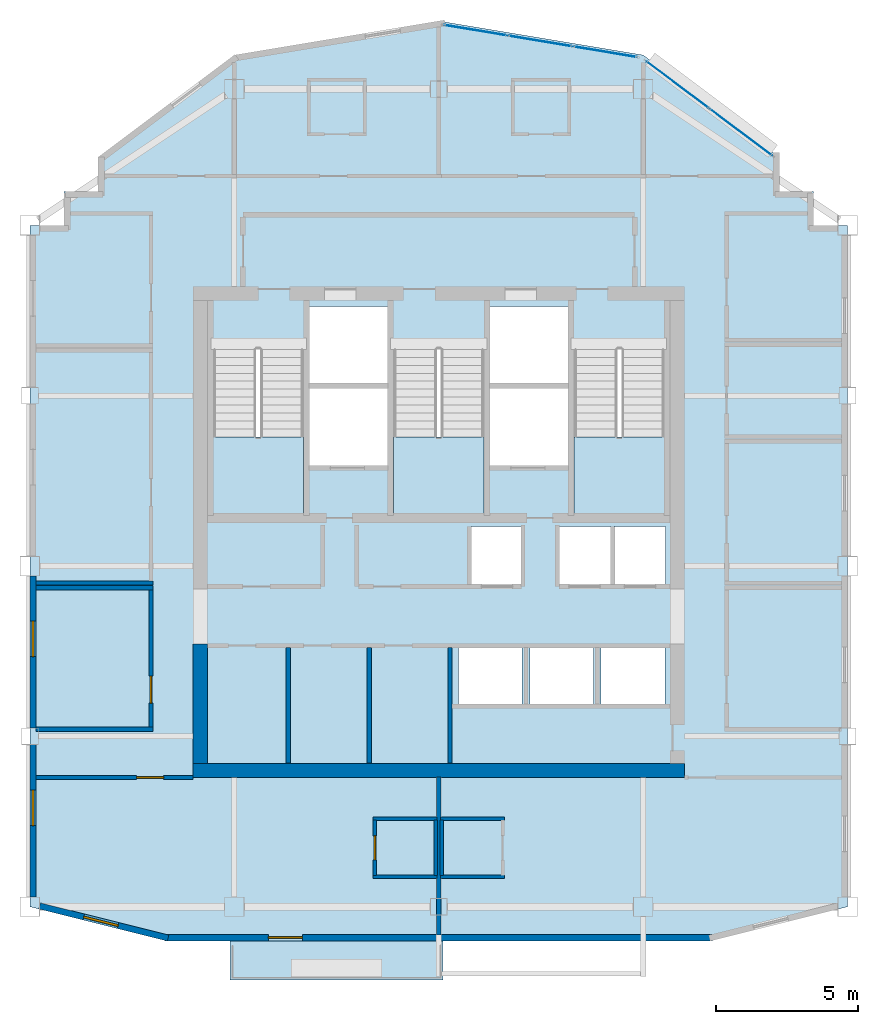
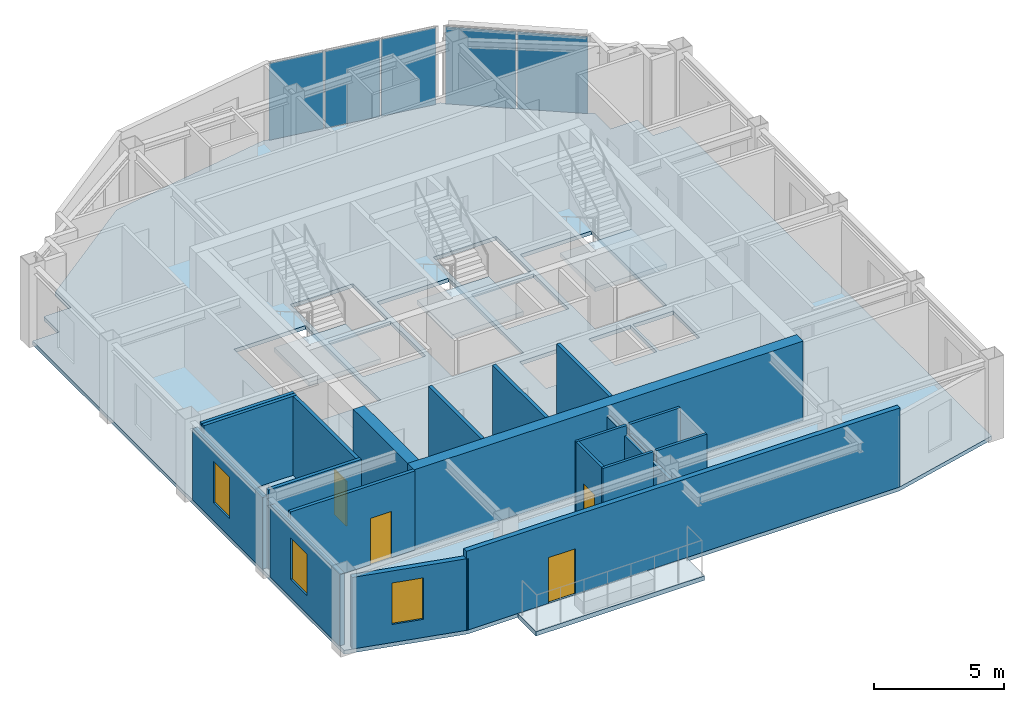
# One storey, part 4 of 9: 22 walls, 5 plates, 5 slabs, 4 doors, 3 windows, 7 openings, 5 elements without a shape of their own.
"""IFC4 building model written with IfcOpenShell, lengths in metres."""

from ifc_helpers import new_model, si_unit, direction, frame, frame_2d, origin, origin_2d, place, context, subcontext, project, spatial, polyline, rectangle, outline, extrude, material, layer, layer_set, type_object, element, fill, aggregate, save


model = new_model("IFC4")

# Units and contexts
model_context = context("Model", 3, precision=1e-05, world=origin(), true_north=direction((0.0, 1.0)))
body_context = subcontext(model_context, "Body", "Model", "MODEL_VIEW")
ifc_project = project(units=[si_unit("LENGTHUNIT", "METRE"), si_unit("AREAUNIT", "SQUARE_METRE"), si_unit("VOLUMEUNIT", "CUBIC_METRE"), si_unit("PLANEANGLEUNIT", "RADIAN"), si_unit("MASSUNIT", "GRAM", prefix="KILO")], contexts=[model_context])

# Site, building, storey
site_placement = place(None, origin())
site = spatial("IfcSite", under=ifc_project, at=site_placement, CompositionType="ELEMENT")
building_placement = place(site_placement, origin())
building = spatial("IfcBuilding", under=site, at=building_placement, Name="Haolan Belvedere Tower", CompositionType="ELEMENT")
storey_placement = place(building_placement, frame((0.0, 0.0, 290.0)))
storey = spatial("IfcBuildingStorey", under=building, at=storey_placement, Name="L73", CompositionType="ELEMENT", Elevation=290.0)

# Curtain wall, plates
ifc_material_1 = material(Name="Anodised champagne-silver aluminium 6063-T6 and Low-E glass", Category="aluminium")
ifc_layer_1 = layer(ifc_material_1, 0.14501953125, Name="Anodised champagne-silver aluminium 6063-T6 and Low-E glass")
ifc_layer_set_1 = layer_set([ifc_layer_1], Name="Anodised champagne-silver aluminium 6063-T6 and Low-E glass")
curtain_wall_type = type_object("IfcCurtainWallType", Name="CW-SYS-05", PredefinedType="NOTDEFINED", material=ifc_layer_set_1)
curtain_wall_1_placement = place(storey_placement, origin())
curtain_wall_1 = element("IfcCurtainWall", 1, at=curtain_wall_1_placement, inside=storey, type_object=curtain_wall_type, Name="L73 CW-SYS-05 ribbon curtain wall 8.1", PredefinedType="NOTDEFINED")
ifc_material_2 = material(Name="Double silver Low-E laminated insulating glass", Category="glass")
ifc_layer_2 = layer(ifc_material_2, 0.02197265625, Name="Double silver Low-E laminated insulating glass")
ifc_layer_set_2 = layer_set([ifc_layer_2], Name="Double silver Low-E laminated insulating glass")
plate_type = type_object("IfcPlateType", Name="CW-SYS-05-PNL", PredefinedType="CURTAIN_PANEL", material=ifc_layer_set_2)
plate_1_placement = place(storey_placement, frame((49.03955078125, 48.8828125, 0.050048828125), z_axis=(0.0, 0.0, 1.0), x_axis=(-0.799997871638, 0.600002837806, 0.0)))
plate_1 = element("IfcPlate", 2, at=plate_1_placement, type_object=plate_type, Name="CW-05 panel 1.1", PredefinedType="CURTAIN_PANEL", context=body_context, shape_type="SweptSolid", body=[
    extrude(rectangle(XDim=2.738037109375, YDim=0.02197265625, at=origin_2d()), origin(), (0.0, 0.0, 1.0), 3.6201171875),
])
plate_2_placement = place(storey_placement, frame((46.805908203125, 50.55810546875, 0.050048828125), z_axis=(0.0, 0.0, 1.0), x_axis=(-0.799997871638, 0.600002837806, 0.0)))
plate_2 = element("IfcPlate", 3, at=plate_2_placement, type_object=plate_type, Name="CW-05 panel 2.1", PredefinedType="CURTAIN_PANEL", context=body_context, shape_type="SweptSolid", body=[
    extrude(rectangle(XDim=2.738037109375, YDim=0.02197265625, at=origin_2d()), origin(), (0.0, 0.0, 1.0), 3.6201171875),
])
aggregate(curtain_wall_1, [plate_1, plate_2])

curtain_wall_2_placement = place(storey_placement, origin())
curtain_wall_2 = element("IfcCurtainWall", 4, at=curtain_wall_2_placement, inside=storey, type_object=curtain_wall_type, Name="L73 CW-SYS-05 ribbon curtain wall 9.1", PredefinedType="NOTDEFINED")
plate_3_placement = place(storey_placement, frame((44.257568359375, 51.712158203125, 0.050048828125), z_axis=(0.0, 0.0, 1.0), x_axis=(-0.98639276122, 0.164405962825, 0.0)))
plate_3 = element("IfcPlate", 5, at=plate_3_placement, type_object=plate_type, Name="CW-05 panel 1.1", PredefinedType="CURTAIN_PANEL", context=body_context, shape_type="SweptSolid", body=[
    extrude(rectangle(XDim=2.24365234375, YDim=0.02197265625, at=origin_2d()), origin(), (0.0, 0.0, 1.0), 3.6201171875),
])
plate_4_placement = place(storey_placement, frame((41.977783203125, 52.09228515625, 0.050048828125), z_axis=(0.0, 0.0, 1.0), x_axis=(-0.98639276122, 0.164405962825, 0.0)))
plate_4 = element("IfcPlate", 6, at=plate_4_placement, type_object=plate_type, Name="CW-05 panel 2.1", PredefinedType="CURTAIN_PANEL", context=body_context, shape_type="SweptSolid", body=[
    extrude(rectangle(XDim=2.270751953125, YDim=0.02197265625, at=origin_2d()), origin(), (0.0, 0.0, 1.0), 3.6201171875),
])
plate_5_placement = place(storey_placement, frame((39.697998046875, 52.47216796875, 0.050048828125), z_axis=(0.0, 0.0, 1.0), x_axis=(-0.98639276122, 0.164405962825, 0.0)))
plate_5 = element("IfcPlate", 7, at=plate_5_placement, type_object=plate_type, Name="CW-05 panel 3.1", PredefinedType="CURTAIN_PANEL", context=body_context, shape_type="SweptSolid", body=[
    extrude(rectangle(XDim=2.24365234375, YDim=0.02197265625, at=origin_2d()), origin(), (0.0, 0.0, 1.0), 3.6201171875),
])
aggregate(curtain_wall_2, [plate_3, plate_4, plate_5])

# Slabs
ifc_material_3 = material(Name="Concrete C40/50", Category="concrete")
ifc_layer_3 = layer(ifc_material_3, 0.2099609375, Name="Concrete C40/50")
ifc_layer_set_3 = layer_set([ifc_layer_3], Name="Concrete C40/50")
slab_type_1 = type_object("IfcSlabType", Name="SL-BAL-210", PredefinedType="FLOOR", material=ifc_layer_set_3)
slab_1_placement = place(storey_placement, frame((0.0, 0.0, -0.22998046875)))
element("IfcSlab", 8, at=slab_1_placement, inside=storey, type_object=slab_type_1, Name="L73 structural tree-planter balcony slab BAL-L73-S1", PredefinedType="FLOOR", context=body_context, shape_type="SweptSolid", body=[
    extrude(outline(polyline([(31.050048828125, 19.02001953125), (38.550048828125, 19.02001953125), (38.550048828125, 20.39990234375), (31.050048828125, 20.39990234375), (31.050048828125, 19.02001953125)])), origin(), (0.0, 0.0, 1.0), 0.2099609375),
])
ifc_layer_4 = layer(ifc_material_3, 0.179931640625, Name="Concrete C40/50")
ifc_layer_set_4 = layer_set([ifc_layer_4], Name="Concrete C40/50")
slab_type_2 = type_object("IfcSlabType", Name="SL-FLR-180", PredefinedType="FLOOR", material=ifc_layer_set_4)
slab_2_placement = place(storey_placement, frame((0.0, 0.0, -0.179931640625)))
element("IfcSlab", 9, at=slab_2_placement, inside=storey, type_object=slab_type_2, Name="L73 structural floor slab", PredefinedType="FLOOR", context=body_context, shape_type="SweptSolid", body=[
    extrude(outline(polyline([(24.0, 21.60009765625), (28.800048828125, 20.39990234375), (48.0, 20.39990234375), (52.800048828125, 21.60009765625), (52.800048828125, 45.60009765625), (52.800048828125, 45.60009765625), (51.60009765625, 45.60009765625), (51.60009765625, 46.800048828125), (50.39990234375, 46.800048828125), (50.39990234375, 48.0), (45.60009765625, 51.60009765625), (38.39990234375, 52.800048828125), (31.199951171875, 51.60009765625), (26.39990234375, 48.0), (26.39990234375, 46.800048828125), (25.199951171875, 46.800048828125), (25.199951171875, 45.60009765625), (24.0, 45.60009765625), (24.0, 45.60009765625), (24.0, 21.60009765625)]), holes=[polyline([(30.449951171875, 41.22998046875), (30.449951171875, 35.449951171875), (33.6298828125, 35.449951171875), (33.6298828125, 41.22998046875), (30.449951171875, 41.22998046875)]), polyline([(36.81005859375, 41.22998046875), (36.81005859375, 35.449951171875), (39.989990234375, 35.449951171875), (39.989990234375, 41.22998046875), (36.81005859375, 41.22998046875)]), polyline([(43.169921875, 41.22998046875), (43.169921875, 35.449951171875), (46.35009765625, 35.449951171875), (46.35009765625, 41.22998046875), (43.169921875, 41.22998046875)]), polyline([(33.830078125, 40.050048828125), (36.610107421875, 40.050048828125), (36.610107421875, 42.75), (33.830078125, 42.75), (33.830078125, 40.050048828125)]), polyline([(33.830078125, 37.14990234375), (36.610107421875, 37.14990234375), (36.610107421875, 39.85009765625), (33.830078125, 39.85009765625), (33.830078125, 37.14990234375)]), polyline([(40.18994140625, 40.050048828125), (42.969970703125, 40.050048828125), (42.969970703125, 42.75), (40.18994140625, 42.75), (40.18994140625, 40.050048828125)]), polyline([(40.18994140625, 37.14990234375), (42.969970703125, 37.14990234375), (42.969970703125, 39.85009765625), (40.18994140625, 39.85009765625), (40.18994140625, 37.14990234375)]), polyline([(39.5400390625, 32.949951171875), (41.389892578125, 32.949951171875), (41.389892578125, 35.0), (39.5400390625, 35.0), (39.5400390625, 32.949951171875)]), polyline([(42.6201171875, 32.949951171875), (44.469970703125, 32.949951171875), (44.469970703125, 35.0), (42.6201171875, 35.0), (42.6201171875, 32.949951171875)]), polyline([(44.580078125, 32.949951171875), (46.3798828125, 32.949951171875), (46.3798828125, 35.0), (44.580078125, 35.0), (44.580078125, 32.949951171875)]), polyline([(39.10009765625, 28.75), (41.340087890625, 28.75), (41.340087890625, 30.75), (39.10009765625, 30.75), (39.10009765625, 28.75)]), polyline([(41.610107421875, 28.75), (43.85009765625, 28.75), (43.85009765625, 30.75), (41.610107421875, 30.75), (41.610107421875, 28.75)]), polyline([(44.1201171875, 28.75), (46.360107421875, 28.75), (46.360107421875, 30.75), (44.1201171875, 30.75), (44.1201171875, 28.75)])]), origin(), (0.0, 0.0, 1.0), 0.179931640625),
])

# Stair, slab
stair_type = type_object("IfcStairType", Name="STR-DL-24R-162", PredefinedType="HALF_TURN_STAIR", material=ifc_material_3)
stair_1_placement = place(storey_placement, origin())
stair_1 = element("IfcStair", 10, at=stair_1_placement, inside=storey, type_object=stair_type, Name="L73 Smokeproof Core Exit Stair ST1", PredefinedType="HALF_TURN_STAIR")
ifc_layer_5 = layer(ifc_material_3, 0.199951171875, Name="Concrete C40/50")
ifc_layer_set_5 = layer_set([ifc_layer_5], Name="Concrete C40/50")
slab_type_3 = type_object("IfcSlabType", Name="SL-LAND-200", PredefinedType="LANDING", material=ifc_layer_set_5)
slab_3_placement = place(storey_placement, frame((0.0, 0.0, 1.75)))
slab_3 = element("IfcSlab", 11, at=slab_3_placement, type_object=slab_type_3, Name="ST1 landing 1", PredefinedType="LANDING", context=body_context, shape_type="SweptSolid", body=[
    extrude(outline(polyline([(30.449951171875, 38.14990234375), (30.449951171875, 35.449951171875), (33.6298828125, 35.449951171875), (33.6298828125, 38.14990234375), (30.449951171875, 38.14990234375)])), origin(), (0.0, 0.0, 1.0), 0.199951171875),
])
aggregate(stair_1, [slab_3])

stair_2_placement = place(storey_placement, origin())
stair_2 = element("IfcStair", 12, at=stair_2_placement, inside=storey, type_object=stair_type, Name="L73 Smokeproof Core Exit Stair ST3", PredefinedType="HALF_TURN_STAIR")
slab_4_placement = place(storey_placement, frame((0.0, 0.0, 1.75)))
slab_4 = element("IfcSlab", 13, at=slab_4_placement, type_object=slab_type_3, Name="ST3 landing 1", PredefinedType="LANDING", context=body_context, shape_type="SweptSolid", body=[
    extrude(outline(polyline([(36.81005859375, 38.14990234375), (36.81005859375, 35.449951171875), (39.989990234375, 35.449951171875), (39.989990234375, 38.14990234375), (36.81005859375, 38.14990234375)])), origin(), (0.0, 0.0, 1.0), 0.199951171875),
])
aggregate(stair_2, [slab_4])

stair_3_placement = place(storey_placement, origin())
stair_3 = element("IfcStair", 14, at=stair_3_placement, inside=storey, type_object=stair_type, Name="L73 Smokeproof Core Exit Stair ST2", PredefinedType="HALF_TURN_STAIR")
slab_5_placement = place(storey_placement, frame((0.0, 0.0, 1.75)))
slab_5 = element("IfcSlab", 15, at=slab_5_placement, type_object=slab_type_3, Name="ST2 landing 1", PredefinedType="LANDING", context=body_context, shape_type="SweptSolid", body=[
    extrude(outline(polyline([(43.169921875, 38.14990234375), (43.169921875, 35.449951171875), (46.35009765625, 35.449951171875), (46.35009765625, 38.14990234375), (43.169921875, 38.14990234375)])), origin(), (0.0, 0.0, 1.0), 0.199951171875),
])
aggregate(stair_3, [slab_5])

# Walls
ifc_material_4 = material(Name="Concrete C50/60", Category="concrete")
ifc_layer_6 = layer(ifc_material_4, 0.5, Name="Concrete C50/60")
ifc_layer_set_6 = layer_set([ifc_layer_6], Name="Concrete C50/60")
wall_type_1 = type_object("IfcWallType", Name="WL-CORE-500", PredefinedType="SHEAR", material=ifc_layer_set_6)
wall_1_placement = place(storey_placement, frame((29.75, 26.39990234375, 0.0), z_axis=(0.0, 0.0, 1.0), x_axis=(1.0, 0.0, 0.0)))
element("IfcWall", 16, at=wall_1_placement, inside=storey, type_object=wall_type_1, Name="L73 central core south shear wall", PredefinedType="SHEAR", context=body_context, shape_type="SweptSolid", body=[
    extrude(rectangle(XDim=17.300048828125, YDim=0.5, at=frame_2d((8.64990234375, 0.0))), origin(), (0.0, 0.0, 1.0), 3.719970703125),
])
wall_2_placement = place(storey_placement, frame((30.0, 26.64990234375, 0.0), z_axis=(0.0, 0.0, 1.0), x_axis=(0.0, 1.0, 0.0)))
element("IfcWall", 17, at=wall_2_placement, inside=storey, type_object=wall_type_1, Name="L73 central core shear wall WS", PredefinedType="SHEAR", context=body_context, shape_type="SweptSolid", body=[
    extrude(rectangle(XDim=4.2001953125, YDim=0.5, at=frame_2d((2.10009765625, 0.0))), origin(), (0.0, 0.0, 1.0), 3.719970703125),
])

# Wall, opening, door
ifc_material_5 = material(Name="Precast concrete C40/50", Category="concrete")
ifc_layer_7 = layer(ifc_material_5, 0.219970703125, Name="Precast concrete C40/50")
ifc_layer_set_7 = layer_set([ifc_layer_7], Name="Precast concrete C40/50")
wall_type_2 = type_object("IfcWallType", Name="WL-EXT-220", PredefinedType="SOLIDWALL", material=ifc_layer_set_7)
wall_3_placement = place(storey_placement, frame((28.758544921875, 20.510009765625, 0.0), z_axis=(0.0, 0.0, 1.0), x_axis=(1.0, 0.0, 0.0)))
wall_3 = element("IfcWall", 18, at=wall_3_placement, inside=storey, type_object=wall_type_2, Name="L73 pale-metal exterior spandrel wall 1.1", PredefinedType="SOLIDWALL", context=body_context, shape_type="SweptSolid", body=[
    extrude(rectangle(XDim=19.282958984375, YDim=0.219970703125, at=frame_2d((9.6416015625, 0.0))), origin(), (0.0, 0.0, 1.0), 3.719970703125),
])
opening_1_placement = place(wall_3_placement, frame((4.841552734375, 0.0, 0.0), z_axis=(0.0, 0.0, 1.0), x_axis=(-1.0, 0.0, 0.0)))
opening_1 = element("IfcOpeningElement", 19, at=opening_1_placement, cuts=wall_3, Name="Opening BD-01", PredefinedType="OPENING", context=body_context, shape_type="SweptSolid", body=[
    extrude(rectangle(XDim=1.199951171875, YDim=2.14990234375, at=frame_2d((0.60009765625, 1.074951171875))), frame((0.0, 0.119873046875, 0.0), z_axis=(0.0, -1.0, 0.0), x_axis=(1.0, 0.0, 0.0)), (0.0, 0.0, 1.0), 0.239990234375),
])
ifc_material_6 = material(Name="Thermally broken pale-metal aluminium and Low-E glass", Category="aluminium")
door_type_1 = type_object("IfcDoorType", Name="DR-BAL-1200", OperationType="NOTDEFINED", PredefinedType="DOOR", material=ifc_material_6)
door_1_placement = place(opening_1_placement, origin())
door_1 = element("IfcDoor", 20, at=door_1_placement, inside=storey, type_object=door_type_1, Name="L73 tree-balcony access door 1", OperationType="SINGLE_SWING_LEFT", OverallHeight=2.14990234375, OverallWidth=1.199951171875, PredefinedType="DOOR", context=body_context, shape_type="SweptSolid", body=[
    extrude(rectangle(XDim=1.199951171875, YDim=2.14990234375, at=frame_2d((0.60009765625, 1.074951171875))), frame((0.0, 0.02490234375, 0.0), z_axis=(0.0, -1.0, 0.0), x_axis=(1.0, 0.0, 0.0)), (0.0, 0.0, 1.0), 0.050048828125),
])
fill(opening_1, door_1)

# Wall, opening, window
wall_4_placement = place(storey_placement, frame((24.110107421875, 33.258056640625, 0.0), z_axis=(0.0, 0.0, 1.0), x_axis=(0.0, -1.0, 0.0)))
wall_4 = element("IfcWall", 21, at=wall_4_placement, inside=storey, type_object=wall_type_2, Name="L73 pale-metal exterior spandrel wall 16.3", PredefinedType="SOLIDWALL", context=body_context, shape_type="SweptSolid", body=[
    extrude(rectangle(XDim=5.365966796875, YDim=0.219970703125, at=frame_2d((2.68310546875, 0.0))), origin(), (0.0, 0.0, 1.0), 3.364990234375),
])
opening_2_placement = place(wall_4_placement, frame((1.60009765625, 0.0, 0.85009765625)))
opening_2 = element("IfcOpeningElement", 22, at=opening_2_placement, cuts=wall_4, Name="Opening W-04", PredefinedType="OPENING", context=body_context, shape_type="SweptSolid", body=[
    extrude(rectangle(XDim=1.25, YDim=1.949951171875, at=frame_2d((0.625, 0.97509765625))), frame((0.0, 0.119873046875, 0.0), z_axis=(0.0, -1.0, 0.0), x_axis=(1.0, 0.0, 0.0)), (0.0, 0.0, 1.0), 0.239990234375),
])
ifc_material_7 = material(Name="Anodised aluminium 6063-T6 and Low-E glass", Category="aluminium")
window_type = type_object("IfcWindowType", Name="WN-DECO-Z4", PartitioningType="SINGLE_PANEL", PredefinedType="WINDOW", material=ifc_material_7)
window_1_placement = place(opening_2_placement, origin())
window_1 = element("IfcWindow", 23, at=window_1_placement, inside=storey, type_object=window_type, Name="L73 Art Deco chevron window 1", OverallHeight=1.949951171875, OverallWidth=1.25, PartitioningType="SINGLE_PANEL", PredefinedType="WINDOW", context=body_context, shape_type="SweptSolid", body=[
    extrude(rectangle(XDim=1.25, YDim=1.949951171875, at=frame_2d((0.625, 0.97509765625))), frame((0.0, 0.030029296875, 0.0), z_axis=(0.0, -1.0, 0.0), x_axis=(1.0, 0.0, 0.0)), (0.0, 0.0, 1.0), 0.06005859375),
])
fill(opening_2, window_1)

wall_5_placement = place(storey_placement, frame((24.110107421875, 27.30810546875, 0.0), z_axis=(0.0, 0.0, 1.0), x_axis=(0.0, -1.0, 0.0)))
wall_5 = element("IfcWall", 24, at=wall_5_placement, inside=storey, type_object=wall_type_2, Name="L73 pale-metal exterior spandrel wall 16.4", PredefinedType="SOLIDWALL", context=body_context, shape_type="SweptSolid", body=[
    extrude(rectangle(XDim=5.3662109375, YDim=0.219970703125, at=frame_2d((2.68310546875, 0.0))), origin(), (0.0, 0.0, 1.0), 3.364990234375),
])
opening_3_placement = place(wall_5_placement, frame((1.60009765625, 0.0, 0.85009765625)))
opening_3 = element("IfcOpeningElement", 25, at=opening_3_placement, cuts=wall_5, Name="Opening W-04", PredefinedType="OPENING", context=body_context, shape_type="SweptSolid", body=[
    extrude(rectangle(XDim=1.25, YDim=1.949951171875, at=frame_2d((0.625, 0.97509765625))), frame((0.0, 0.119873046875, 0.0), z_axis=(0.0, -1.0, 0.0), x_axis=(1.0, 0.0, 0.0)), (0.0, 0.0, 1.0), 0.239990234375),
])
window_2_placement = place(opening_3_placement, origin())
window_2 = element("IfcWindow", 26, at=window_2_placement, inside=storey, type_object=window_type, Name="L73 Art Deco chevron window 1", OverallHeight=1.949951171875, OverallWidth=1.25, PartitioningType="SINGLE_PANEL", PredefinedType="WINDOW", context=body_context, shape_type="SweptSolid", body=[
    extrude(rectangle(XDim=1.25, YDim=1.949951171875, at=frame_2d((0.625, 0.97509765625))), frame((0.0, 0.030029296875, 0.0), z_axis=(0.0, -1.0, 0.0), x_axis=(1.0, 0.0, 0.0)), (0.0, 0.0, 1.0), 0.06005859375),
])
fill(opening_3, window_2)

wall_6_placement = place(storey_placement, frame((24.342041015625, 21.6279296875, 0.0), z_axis=(0.0, 0.0, 1.0), x_axis=(0.970136341762, -0.242560257242, 0.0)))
wall_6 = element("IfcWall", 27, at=wall_6_placement, inside=storey, type_object=wall_type_2, Name="L73 pale-metal exterior spandrel wall 17.1", PredefinedType="SOLIDWALL", context=body_context, shape_type="SweptSolid", body=[
    extrude(rectangle(XDim=4.664306640625, YDim=0.219970703125, at=frame_2d((2.33203125, 0.0))), origin(), (0.0, 0.0, 1.0), 3.364990234375),
])
opening_4_placement = place(wall_6_placement, frame((1.60009765625, 0.0, 0.85009765625)))
opening_4 = element("IfcOpeningElement", 28, at=opening_4_placement, cuts=wall_6, Name="Opening W-04", PredefinedType="OPENING", context=body_context, shape_type="SweptSolid", body=[
    extrude(rectangle(XDim=1.25, YDim=1.949951171875, at=frame_2d((0.625, 0.97509765625))), frame((0.0, 0.119873046875, 0.0), z_axis=(0.0, -1.0, 0.0), x_axis=(1.0, 0.0, 0.0)), (0.0, 0.0, 1.0), 0.239990234375),
])
window_3_placement = place(opening_4_placement, origin())
window_3 = element("IfcWindow", 29, at=window_3_placement, inside=storey, type_object=window_type, Name="L73 Art Deco chevron window 1", OverallHeight=1.949951171875, OverallWidth=1.25, PartitioningType="SINGLE_PANEL", PredefinedType="WINDOW", context=body_context, shape_type="SweptSolid", body=[
    extrude(rectangle(XDim=1.25, YDim=1.949951171875, at=frame_2d((0.625, 0.97509765625))), frame((0.0, 0.030029296875, 0.0), z_axis=(0.0, -1.0, 0.0), x_axis=(1.0, 0.0, 0.0)), (0.0, 0.0, 1.0), 0.06005859375),
])
fill(opening_4, window_3)

# Walls
ifc_material_8 = material(Name="Double gypsum acoustic stud partition", Category="masonry")
ifc_layer_8 = layer(ifc_material_8, 0.14990234375, Name="Double gypsum acoustic stud partition")
ifc_layer_set_8 = layer_set([ifc_layer_8], Name="Double gypsum acoustic stud partition")
wall_type_3 = type_object("IfcWallType", Name="WL-PART-150", PredefinedType="PARTITIONING", material=ifc_layer_set_8)
for number, where, z_axis, x_axis, name in (
    (30, (33.10009765625, 26.659912109375, 0.0), (0.0, 0.0, 1.0), (0.0, 1.0, 0.0), "L73 interior partition IW-L73-DIV-REUSE-PM1"),
    (31, (35.949951171875, 26.659912109375, 0.0), (0.0, 0.0, 1.0), (0.0, 1.0, 0.0), "L73 interior partition IW-L73-DIV-REUSE-PM2"),
):
    element("IfcWall", number, at=place(storey_placement, frame(where, z_axis=z_axis, x_axis=x_axis)), inside=storey, type_object=wall_type_3, Name=name, PredefinedType="PARTITIONING", context=body_context, shape_type="SweptSolid", body=[
        extrude(rectangle(XDim=4.0751953125, YDim=0.14990234375, at=frame_2d((2.03759765625, 0.0))), origin(), (0.0, 0.0, 1.0), 3.719970703125),
    ])
for number, where, z_axis, x_axis, name in (
    (32, (24.2119140625, 33.0, 0.0), (0.0, 0.0, 1.0), (1.0, 0.0, 0.0), "L73 interior partition IW-L73-SAL-S"),
    (33, (24.2119140625, 32.840087890625, 0.0), (0.0, 0.0, 1.0), (1.0, 0.0, 0.0), "L73 interior partition IW-L73-PKTW-N"),
    (34, (24.2119140625, 27.85009765625, 0.0), (0.0, 0.0, 1.0), (1.0, 0.0, 0.0), "L73 interior partition IW-L73-PKTW-S"),
):
    element("IfcWall", number, at=place(storey_placement, frame(where, z_axis=z_axis, x_axis=x_axis)), inside=storey, type_object=wall_type_3, Name=name, PredefinedType="PARTITIONING", context=body_context, shape_type="SweptSolid", body=[
        extrude(rectangle(XDim=4.128173828125, YDim=0.14990234375, at=frame_2d((2.06396484375, 0.0))), origin(), (0.0, 0.0, 1.0), 3.719970703125),
    ])

# Wall, opening, door
wall_7_placement = place(storey_placement, frame((28.260009765625, 27.909912109375, 0.0), z_axis=(0.0, 0.0, 1.0), x_axis=(0.0, 1.0, 0.0)))
wall_7 = element("IfcWall", 35, at=wall_7_placement, inside=storey, type_object=wall_type_3, Name="L73 interior partition IW-L73-PKTW-E", PredefinedType="PARTITIONING", context=body_context, shape_type="SweptSolid", body=[
    extrude(rectangle(XDim=4.8701171875, YDim=0.14990234375, at=frame_2d((2.43505859375, 0.0))), origin(), (0.0, 0.0, 1.0), 3.719970703125),
])
opening_5_placement = place(wall_7_placement, frame((1.81005859375, 0.0, 0.0), z_axis=(0.0, 0.0, 1.0), x_axis=(-1.0, 0.0, 0.0)))
opening_5 = element("IfcOpeningElement", 36, at=opening_5_placement, cuts=wall_7, Name="Opening ID-03", PredefinedType="OPENING", context=body_context, shape_type="SweptSolid", body=[
    extrude(rectangle(XDim=0.949951171875, YDim=2.1201171875, at=frame_2d((0.47509765625, 1.06005859375))), frame((0.0, 0.0849609375, 0.0), z_axis=(0.0, -1.0, 0.0), x_axis=(1.0, 0.0, 0.0)), (0.0, 0.0, 1.0), 0.169921875),
])
ifc_material_9 = material(Name="Painted solid-core timber", Category="wood")
door_type_2 = type_object("IfcDoorType", Name="DR-INT-950", OperationType="NOTDEFINED", PredefinedType="DOOR", material=ifc_material_9)
door_2_placement = place(opening_5_placement, origin())
door_2 = element("IfcDoor", 37, at=door_2_placement, inside=storey, type_object=door_type_2, Name="L73 door ID-L73-PKTW", OperationType="SINGLE_SWING_LEFT", OverallHeight=2.1201171875, OverallWidth=0.949951171875, PredefinedType="DOOR", context=body_context, shape_type="SweptSolid", body=[
    extrude(rectangle(XDim=0.949951171875, YDim=2.1201171875, at=frame_2d((0.47509765625, 1.06005859375))), frame((0.0, 0.02490234375, 0.0), z_axis=(0.0, -1.0, 0.0), x_axis=(1.0, 0.0, 0.0)), (0.0, 0.0, 1.0), 0.050048828125),
])
fill(opening_5, door_2)

wall_8_placement = place(storey_placement, frame((24.2119140625, 26.14990234375, 0.0), z_axis=(0.0, 0.0, 1.0), x_axis=(1.0, 0.0, 0.0)))
wall_8 = element("IfcWall", 38, at=wall_8_placement, inside=storey, type_object=wall_type_3, Name="L73 interior partition IW-L73-KS1-N", PredefinedType="PARTITIONING", context=body_context, shape_type="SweptSolid", body=[
    extrude(rectangle(XDim=5.5361328125, YDim=0.14990234375, at=frame_2d((2.76806640625, 0.0))), origin(), (0.0, 0.0, 1.0), 3.719970703125),
])
opening_6_placement = place(wall_8_placement, frame((4.494873046875, 0.0, 0.0), z_axis=(0.0, 0.0, 1.0), x_axis=(-1.0, 0.0, 0.0)))
opening_6 = element("IfcOpeningElement", 39, at=opening_6_placement, cuts=wall_8, Name="Opening ID-01", PredefinedType="OPENING", context=body_context, shape_type="SweptSolid", body=[
    extrude(rectangle(XDim=0.949951171875, YDim=2.179931640625, at=frame_2d((0.47509765625, 1.08984375))), frame((0.0, 0.0849609375, 0.0), z_axis=(0.0, -1.0, 0.0), x_axis=(1.0, 0.0, 0.0)), (0.0, 0.0, 1.0), 0.169921875),
])
ifc_material_10 = material(Name="Acoustic walnut veneer fire-rated timber", Category="wood")
door_type_3 = type_object("IfcDoorType", Name="DR-SUITE-950", OperationType="NOTDEFINED", PredefinedType="DOOR", material=ifc_material_10)
door_3_placement = place(opening_6_placement, origin())
door_3 = element("IfcDoor", 40, at=door_3_placement, inside=storey, type_object=door_type_3, Name="L73 door ID-L73-KS1-ENT", OperationType="SINGLE_SWING_LEFT", OverallHeight=2.179931640625, OverallWidth=0.949951171875, PredefinedType="DOOR", context=body_context, shape_type="SweptSolid", body=[
    extrude(rectangle(XDim=0.949951171875, YDim=2.179931640625, at=frame_2d((0.47509765625, 1.08984375))), frame((0.0, 0.02490234375, 0.0), z_axis=(0.0, -1.0, 0.0), x_axis=(1.0, 0.0, 0.0)), (0.0, 0.0, 1.0), 0.050048828125),
])
fill(opening_6, door_3)

# Walls
wall_9_placement = place(storey_placement, frame((38.39990234375, 20.612060546875, 0.0), z_axis=(0.0, 0.0, 1.0), x_axis=(0.0, 1.0, 0.0)))
element("IfcWall", 41, at=wall_9_placement, inside=storey, type_object=wall_type_3, Name="L73 interior partition IW-L73-KS1-E", PredefinedType="PARTITIONING", context=body_context, shape_type="SweptSolid", body=[
    extrude(rectangle(XDim=5.552978515625, YDim=0.14990234375, at=frame_2d((2.7763671875, 0.0))), origin(), (0.0, 0.0, 1.0), 3.205078125),
])
ifc_material_11 = material(Name="Gypsum fire shaftwall assembly", Category="masonry")
ifc_layer_9 = layer(ifc_material_11, 0.1650390625, Name="Gypsum fire shaftwall assembly")
ifc_layer_set_9 = layer_set([ifc_layer_9], Name="Gypsum fire shaftwall assembly")
wall_type_4 = type_object("IfcWallType", Name="WL-SHAFT-160", PredefinedType="SOLIDWALL", material=ifc_layer_set_9)
wall_10_placement = place(storey_placement, frame((38.800048828125, 26.659912109375, 0.0), z_axis=(0.0, 0.0, 1.0), x_axis=(0.0, 1.0, 0.0)))
element("IfcWall", 42, at=wall_10_placement, inside=storey, type_object=wall_type_4, Name="L73 interior partition IW-L73-DIV-PM-OB", PredefinedType="SOLIDWALL", context=body_context, shape_type="SweptSolid", body=[
    extrude(rectangle(XDim=4.0751953125, YDim=0.14990234375, at=frame_2d((2.03759765625, 0.0))), origin(), (0.0, 0.0, 1.0), 3.719970703125),
])
ifc_material_12 = material(Name="Moisture-resistant gypsum tile partition", Category="masonry")
ifc_layer_10 = layer(ifc_material_12, 0.1201171875, Name="Moisture-resistant gypsum tile partition")
ifc_layer_set_10 = layer_set([ifc_layer_10], Name="Moisture-resistant gypsum tile partition")
wall_type_5 = type_object("IfcWallType", Name="WL-WET-120", PredefinedType="PARTITIONING", material=ifc_layer_set_10)
for number, where, z_axis, x_axis, name in (
    (43, (36.090087890625, 24.699951171875, 0.0), (0.0, 0.0, 1.0), (1.0, 0.0, 0.0), "L73 interior partition IW-L73-KS1-BN"),
    (44, (36.090087890625, 22.64990234375, 0.0), (0.0, 0.0, 1.0), (1.0, 0.0, 0.0), "L73 interior partition IW-L73-KS1-BS"),
):
    element("IfcWall", number, at=place(storey_placement, frame(where, z_axis=z_axis, x_axis=x_axis)), inside=storey, type_object=wall_type_5, Name=name, PredefinedType="PARTITIONING", context=body_context, shape_type="SweptSolid", body=[
        extrude(rectangle(XDim=2.25, YDim=0.1201171875, at=frame_2d((1.125, 0.0))), origin(), (0.0, 0.0, 1.0), 3.719970703125),
    ])

# Wall, opening, door
wall_11_placement = place(storey_placement, frame((36.14990234375, 22.695068359375, 0.0), z_axis=(0.0, 0.0, 1.0), x_axis=(0.0, 1.0, 0.0)))
wall_11 = element("IfcWall", 45, at=wall_11_placement, inside=storey, type_object=wall_type_5, Name="L73 interior partition IW-L73-KS1-BW", PredefinedType="PARTITIONING", context=body_context, shape_type="SweptSolid", body=[
    extrude(rectangle(XDim=1.9599609375, YDim=0.1201171875, at=frame_2d((0.97998046875, 0.0))), origin(), (0.0, 0.0, 1.0), 3.719970703125),
])
opening_7_placement = place(wall_11_placement, frame((1.405029296875, 0.0, 0.0), z_axis=(0.0, 0.0, 1.0), x_axis=(-1.0, 0.0, 0.0)))
opening_7 = element("IfcOpeningElement", 46, at=opening_7_placement, cuts=wall_11, Name="Opening ID-05", PredefinedType="OPENING", context=body_context, shape_type="SweptSolid", body=[
    extrude(rectangle(XDim=0.85009765625, YDim=2.10009765625, at=frame_2d((0.425048828125, 1.050048828125))), frame((0.0, 0.070068359375, 0.0), z_axis=(0.0, -1.0, 0.0), x_axis=(1.0, 0.0, 0.0)), (0.0, 0.0, 1.0), 0.14013671875),
])
ifc_material_13 = material(Name="Moisture-resistant lacquered timber", Category="wood")
door_type_4 = type_object("IfcDoorType", Name="DR-BATH-850", OperationType="NOTDEFINED", PredefinedType="DOOR", material=ifc_material_13)
door_4_placement = place(opening_7_placement, origin())
door_4 = element("IfcDoor", 47, at=door_4_placement, inside=storey, type_object=door_type_4, Name="L73 door ID-L73-KS1-BATH", OperationType="SINGLE_SWING_RIGHT", OverallHeight=2.10009765625, OverallWidth=0.85009765625, PredefinedType="DOOR", context=body_context, shape_type="SweptSolid", body=[
    extrude(rectangle(XDim=0.85009765625, YDim=2.10009765625, at=frame_2d((0.425048828125, 1.050048828125))), frame((0.0, 0.02490234375, 0.0), z_axis=(0.0, -1.0, 0.0), x_axis=(1.0, 0.0, 0.0)), (0.0, 0.0, 1.0), 0.050048828125),
])
fill(opening_7, door_4)

# Walls
wall_12_placement = place(storey_placement, frame((38.300048828125, 22.695068359375, 0.0), z_axis=(0.0, 0.0, 1.0), x_axis=(0.0, 1.0, 0.0)))
element("IfcWall", 48, at=wall_12_placement, inside=storey, type_object=wall_type_5, Name="L73 interior partition IW-L73-KS1-BE", PredefinedType="PARTITIONING", context=body_context, shape_type="SweptSolid", body=[
    extrude(rectangle(XDim=1.9599609375, YDim=0.1201171875, at=frame_2d((0.97998046875, 0.0))), origin(), (0.0, 0.0, 1.0), 3.2548828125),
])
for number, where, z_axis, x_axis, name in (
    (49, (38.4599609375, 24.699951171875, 0.0), (0.0, 0.0, 1.0), (1.0, 0.0, 0.0), "L73 interior partition IW-L73-KS2-BN"),
    (50, (38.4599609375, 22.64990234375, 0.0), (0.0, 0.0, 1.0), (1.0, 0.0, 0.0), "L73 interior partition IW-L73-KS2-BS"),
):
    element("IfcWall", number, at=place(storey_placement, frame(where, z_axis=z_axis, x_axis=x_axis)), inside=storey, type_object=wall_type_5, Name=name, PredefinedType="PARTITIONING", context=body_context, shape_type="SweptSolid", body=[
        extrude(rectangle(XDim=2.25, YDim=0.1201171875, at=frame_2d((1.125, 0.0))), origin(), (0.0, 0.0, 1.0), 3.719970703125),
    ])
wall_13_placement = place(storey_placement, frame((38.5, 22.695068359375, 0.0), z_axis=(0.0, 0.0, 1.0), x_axis=(0.0, 1.0, 0.0)))
element("IfcWall", 51, at=wall_13_placement, inside=storey, type_object=wall_type_5, Name="L73 interior partition IW-L73-KS2-BW", PredefinedType="PARTITIONING", context=body_context, shape_type="SweptSolid", body=[
    extrude(rectangle(XDim=1.9599609375, YDim=0.1201171875, at=frame_2d((0.97998046875, 0.0))), origin(), (0.0, 0.0, 1.0), 3.2548828125),
])

save(model, "model.ifc")
